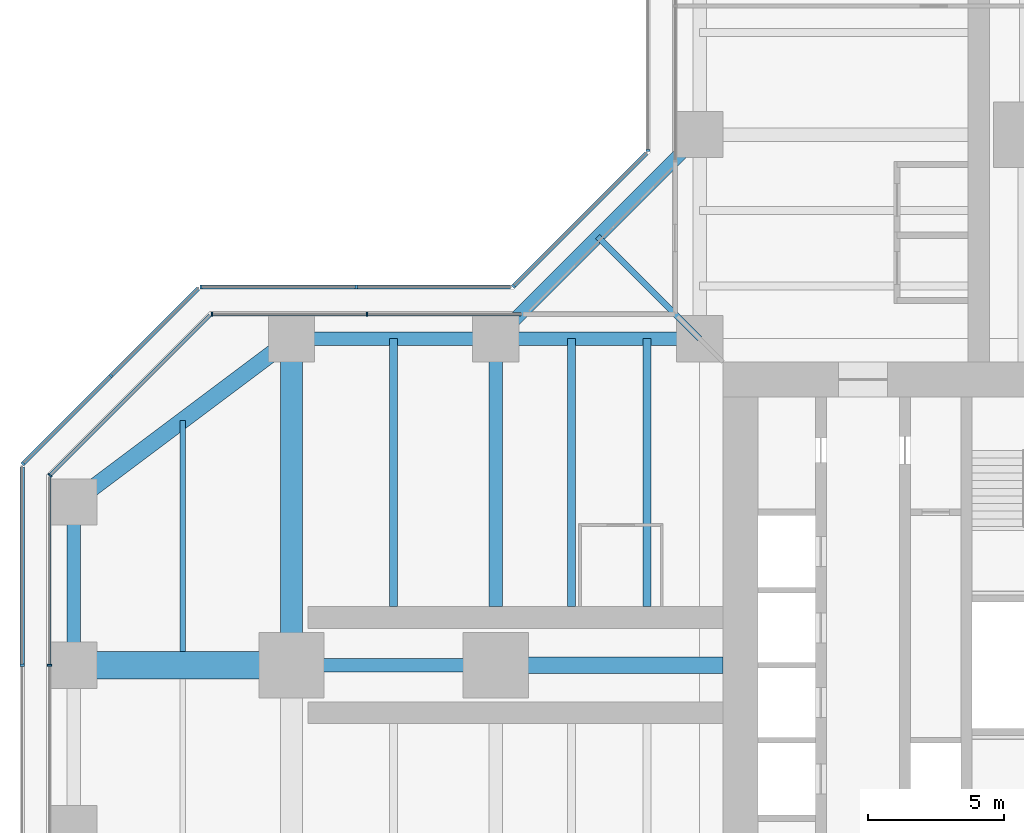
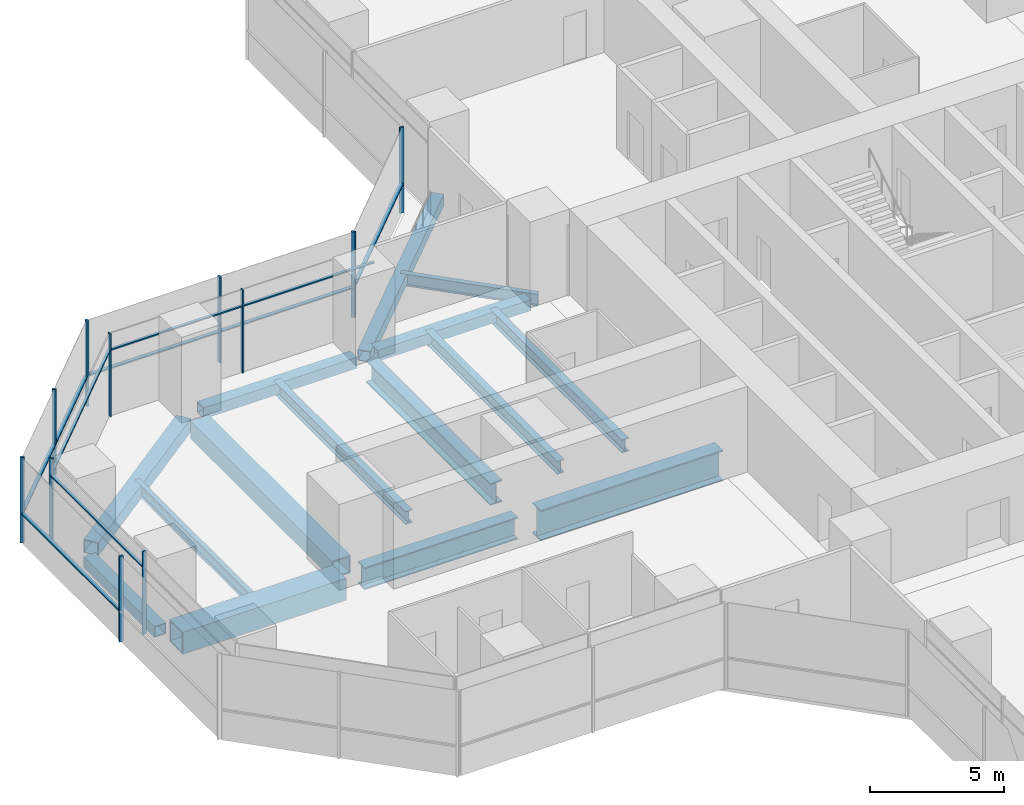
# One storey, part 8 of 22: 21 members, 15 beams, 8 elements without a shape of their own.
"""IFC4 building model written with IfcOpenShell, lengths in metres."""

from ifc_helpers import new_model, si_unit, direction, frame, origin, origin_2d, place, context, subcontext, project, spatial, rectangle, hollow_rectangle, i_section, extrude, material, material_profile, profile_set, type_object, element, aggregate, save


model = new_model("IFC4")

# Units and contexts
model_context = context("Model", 3, precision=1e-05, world=origin(), true_north=direction((0.0, 1.0)))
body_context = subcontext(model_context, "Body", "Model", "MODEL_VIEW")
ifc_project = project(units=[si_unit("LENGTHUNIT", "METRE"), si_unit("AREAUNIT", "SQUARE_METRE"), si_unit("VOLUMEUNIT", "CUBIC_METRE"), si_unit("PLANEANGLEUNIT", "RADIAN"), si_unit("MASSUNIT", "GRAM", prefix="KILO")], contexts=[model_context])

# Site, building, storey
site_placement = place(None, origin())
site = spatial("IfcSite", under=ifc_project, at=site_placement, CompositionType="ELEMENT")
building_placement = place(site_placement, origin())
building = spatial("IfcBuilding", under=site, at=building_placement, Name="Mizan Broadcast Tower", CompositionType="ELEMENT")
storey_placement = place(building_placement, frame((0.0, 0.0, 66.89990234375)))
storey = spatial("IfcBuildingStorey", under=building, at=storey_placement, Name="L13", CompositionType="ELEMENT", Elevation=66.89990234375)

# Beams
ifc_material_1 = material(Name="Steel S355", Category="steel")
ifc_material_profile_1 = material_profile(ifc_material_1, hollow_rectangle(XDim=0.5, YDim=0.5, WallThickness=0.030029296875, at=origin_2d()), Name="BOX 500x500x30")
ifc_profile_set_1 = profile_set([ifc_material_profile_1], Name="Steel S355")
beam_type_1 = type_object("IfcBeamType", Name="EDGE BEAM BOX 500x500x30", PredefinedType="SPANDREL", material=ifc_profile_set_1)
for number, where, z_axis, x_axis, name in (
    (1, (-12.449951171875, 12.0, -0.3798828125), (-1.0, 0.0, 0.0), (0.0, -1.0, 0.0), "Edge beam BOX 500x500x30 L13 west arm"),
    (2, (-19.949951171875, 12.0, -0.3798828125), (-1.0, 0.0, 0.0), (0.0, -1.0, 0.0), "Edge beam BOX 500x500x30 L13 west arm"),
):
    element("IfcBeam", number, at=place(storey_placement, frame(where, z_axis=z_axis, x_axis=x_axis)), inside=storey, type_object=beam_type_1, Name=name, PredefinedType="SPANDREL", context=body_context, shape_type="SweptSolid", body=[
        extrude(hollow_rectangle(XDim=0.5, YDim=0.5, WallThickness=0.030029296875, at=origin_2d()), origin(), (0.0, 0.0, 1.0), 6.60009765625),
    ])
beam_1_placement = place(storey_placement, frame((-35.0, 5.639892578125, -0.3798828125), z_axis=(0.0, -1.0, 0.0), x_axis=(1.0, 0.0, 0.0)))
element("IfcBeam", 3, at=beam_1_placement, inside=storey, type_object=beam_type_1, Name="Edge beam BOX 500x500x30 L13 west arm", PredefinedType="SPANDREL", context=body_context, shape_type="SweptSolid", body=[
    extrude(hollow_rectangle(XDim=0.5, YDim=0.5, WallThickness=0.030029296875, at=origin_2d()), origin(), (0.0, 0.0, 1.0), 5.27978515625),
])
beam_2_placement = place(storey_placement, frame((-12.0, 19.5, -0.3798828125), z_axis=(-0.707106781187, -0.707106781187, 0.0), x_axis=(0.707106781187, -0.707106781187, 0.0)))
element("IfcBeam", 4, at=beam_2_placement, inside=storey, type_object=beam_type_1, Name="Winter garden edge beam L13 N", PredefinedType="SPANDREL", context=body_context, shape_type="SweptSolid", body=[
    extrude(hollow_rectangle(XDim=0.5, YDim=0.5, WallThickness=0.030029296875, at=origin_2d()), origin(), (0.0, 0.0, 1.0), 10.606689453125),
])
ifc_material_2 = material(Name="Steel S355", Category="steel")
ifc_material_profile_2 = material_profile(ifc_material_2, hollow_rectangle(XDim=0.60009765625, YDim=0.60009765625, WallThickness=0.030029296875, at=origin_2d()), Name="BOX 600x600x30")
ifc_profile_set_2 = profile_set([ifc_material_profile_2], Name="Steel S355")
beam_type_2 = type_object("IfcBeamType", Name="EDGE BEAM BOX 600x600x30", PredefinedType="SPANDREL", material=ifc_profile_set_2)
beam_3_placement = place(storey_placement, frame((-27.47998046875, 11.639892578125, -0.429931640625), z_axis=(-0.800013316712, -0.599982243973, 0.0), x_axis=(0.599982243973, -0.800013316712, 0.0)))
element("IfcBeam", 5, at=beam_3_placement, inside=storey, type_object=beam_type_2, Name="Edge beam BOX 600x600x30 L13 west arm", PredefinedType="SPANDREL", context=body_context, shape_type="SweptSolid", body=[
    extrude(hollow_rectangle(XDim=0.60009765625, YDim=0.60009765625, WallThickness=0.030029296875, at=origin_2d()), origin(), (0.0, 0.0, 1.0), 8.7998046875),
])
ifc_material_3 = material(Name="Steel S460", Category="steel")
ifc_material_profile_3 = material_profile(ifc_material_3, hollow_rectangle(XDim=1.0, YDim=1.0, WallThickness=0.06005859375, at=origin_2d()), Name="BOX 1000x1000x60")
ifc_profile_set_3 = profile_set([ifc_material_profile_3], Name="Steel S460")
beam_type_3 = type_object("IfcBeamType", Name="GIRDER BOX 1000x1000x60", PredefinedType="BEAM", material=ifc_profile_set_3)
beam_4_placement = place(storey_placement, frame((-27.47998046875, 0.0, -0.6298828125), z_axis=(-1.0, 0.0, 0.0), x_axis=(0.0, -1.0, 0.0)))
element("IfcBeam", 6, at=beam_4_placement, inside=storey, type_object=beam_type_3, Name="Girder BOX 1000x1000x60 L13 west arm", PredefinedType="BEAM", context=body_context, shape_type="SweptSolid", body=[
    extrude(hollow_rectangle(XDim=1.0, YDim=1.0, WallThickness=0.06005859375, at=origin_2d()), origin(), (0.0, 0.0, 1.0), 7.0400390625),
])
ifc_material_4 = material(Name="Steel S460", Category="steel")
ifc_material_profile_4 = material_profile(ifc_material_4, hollow_rectangle(XDim=0.800048828125, YDim=0.800048828125, WallThickness=0.050048828125, at=origin_2d()), Name="BOX 800x800x50")
ifc_profile_set_4 = profile_set([ifc_material_profile_4], Name="Steel S460")
beam_type_4 = type_object("IfcBeamType", Name="GIRDER BOX 800x800x50", PredefinedType="BEAM", material=ifc_profile_set_4)
beam_5_placement = place(storey_placement, frame((-27.0, 11.280029296875, -0.52978515625), z_axis=(0.0, -1.0, 0.0), x_axis=(1.0, 0.0, 0.0)))
element("IfcBeam", 7, at=beam_5_placement, inside=storey, type_object=beam_type_4, Name="Girder BOX 800x800x50 L13 west arm", PredefinedType="BEAM", context=body_context, shape_type="SweptSolid", body=[
    extrude(hollow_rectangle(XDim=0.800048828125, YDim=0.800048828125, WallThickness=0.050048828125, at=origin_2d()), origin(), (0.0, 0.0, 1.0), 10.56005859375),
])
ifc_material_5 = material(Name="Steel S460", Category="steel")
ifc_material_profile_5 = material_profile(ifc_material_5, i_section(OverallWidth=0.5, OverallDepth=1.0, WebThickness=0.02490234375, FlangeThickness=0.050048828125, at=origin_2d()), Name="WPG 1000x500")
ifc_profile_set_5 = profile_set([ifc_material_profile_5], Name="Steel S460")
beam_type_5 = type_object("IfcBeamType", Name="GIRDER WPG 1000x500", PredefinedType="BEAM", material=ifc_profile_set_5)
beam_6_placement = place(storey_placement, frame((-19.949951171875, 0.0, -0.6298828125), z_axis=(-1.0, 0.0, 0.0), x_axis=(0.0, -1.0, 0.0)))
element("IfcBeam", 8, at=beam_6_placement, inside=storey, type_object=beam_type_5, Name="Girder WPG 1000x500 L13 west arm", PredefinedType="BEAM", context=body_context, shape_type="SweptSolid", body=[
    extrude(i_section(OverallWidth=0.5, OverallDepth=1.0, WebThickness=0.02490234375, FlangeThickness=0.050048828125, at=origin_2d()), origin(), (0.0, 0.0, 1.0), 6.60009765625),
])
beam_7_placement = place(storey_placement, frame((-19.5, 11.408935546875, -0.6298828125), z_axis=(0.0, -1.0, 0.0), x_axis=(1.0, 0.0, 0.0)))
element("IfcBeam", 9, at=beam_7_placement, inside=storey, type_object=beam_type_5, Name="Girder WPG 1000x500 L13 west arm", PredefinedType="BEAM", context=body_context, shape_type="SweptSolid", body=[
    extrude(i_section(OverallWidth=0.5, OverallDepth=1.0, WebThickness=0.02490234375, FlangeThickness=0.050048828125, at=origin_2d()), origin(), (0.0, 0.0, 1.0), 9.259033203125),
])
ifc_material_6 = material(Name="Steel S460", Category="steel")
ifc_material_profile_6 = material_profile(ifc_material_6, i_section(OverallWidth=0.60009765625, OverallDepth=1.39990234375, WebThickness=0.02490234375, FlangeThickness=0.06005859375, at=origin_2d()), Name="WPG 1400x600")
ifc_profile_set_6 = profile_set([ifc_material_profile_6], Name="Steel S460")
beam_type_6 = type_object("IfcBeamType", Name="GIRDER WPG 1400x600", PredefinedType="BEAM", material=ifc_profile_set_6)
beam_8_placement = place(storey_placement, frame((-11.14990234375, 0.0, -0.829833984375), z_axis=(-1.0, 0.0, 0.0), x_axis=(0.0, -1.0, 0.0)))
element("IfcBeam", 10, at=beam_8_placement, inside=storey, type_object=beam_type_6, Name="Girder WPG 1400x600 L13 west arm", PredefinedType="BEAM", context=body_context, shape_type="SweptSolid", body=[
    extrude(i_section(OverallWidth=0.60009765625, OverallDepth=1.39990234375, WebThickness=0.02490234375, FlangeThickness=0.06005859375, at=origin_2d()), origin(), (0.0, 0.0, 1.0), 7.84912109375),
])

# Curtain wall, members
ifc_material_7 = material(Name="Aluminium framed glazing", Category="aluminium")
curtain_wall_type_1 = type_object("IfcCurtainWallType", Name="INNER SKIN LOW ZONE", PredefinedType="USERDEFINED", material=ifc_material_7)
curtain_wall_1_placement = place(storey_placement, origin())
curtain_wall_1 = element("IfcCurtainWall", 11, at=curtain_wall_1_placement, inside=storey, type_object=curtain_wall_type_1, Name="Inner skin low zone L13 W side", ObjectType="INNER SKIN LOW ZONE", PredefinedType="USERDEFINED")
ifc_material_8 = material(Name="Aluminium, pale anodised", Category="aluminium")
ifc_material_profile_7 = material_profile(ifc_material_8, rectangle(XDim=0.159912109375, YDim=0.06005859375, at=origin_2d()), Name="MULLION 160x60")
ifc_profile_set_7 = profile_set([ifc_material_profile_7], Name="Aluminium, pale anodised")
member_type_1 = type_object("IfcMemberType", Name="INNER SKIN MULLION 60x160", PredefinedType="MULLION", material=ifc_profile_set_7)
member_1_placement = place(storey_placement, frame((-24.229248046875, 12.89990234375, 0.0), z_axis=(0.0, 0.0, 1.0), x_axis=(0.0, -1.0, 0.0)))
member_1 = element("IfcMember", 12, at=member_1_placement, type_object=member_type_1, Name="Inner skin low zone L13 W side mullion 2", PredefinedType="MULLION", context=body_context, shape_type="SweptSolid", body=[
    extrude(rectangle(XDim=0.159912109375, YDim=0.06005859375, at=origin_2d()), origin(), (0.0, 0.0, 1.0), 3.77001953125),
])
member_2_placement = place(storey_placement, frame((-29.928466796875, 12.89990234375, 0.0), z_axis=(0.0, 0.0, 1.0), x_axis=(0.0, -1.0, 0.0)))
member_2 = element("IfcMember", 13, at=member_2_placement, type_object=member_type_1, Name="Inner skin low zone L13 W side mullion 3", PredefinedType="MULLION", context=body_context, shape_type="SweptSolid", body=[
    extrude(rectangle(XDim=0.159912109375, YDim=0.06005859375, at=origin_2d()), origin(), (0.0, 0.0, 1.0), 3.77001953125),
])

# Curtain wall, member
curtain_wall_2_placement = place(storey_placement, origin())
curtain_wall_2 = element("IfcCurtainWall", 14, at=curtain_wall_2_placement, inside=storey, type_object=curtain_wall_type_1, Name="Inner skin low zone L13 W chamfer", ObjectType="INNER SKIN LOW ZONE", PredefinedType="USERDEFINED")
member_3_placement = place(storey_placement, frame((-35.87890625, 6.979736328125, 0.0), z_axis=(0.0, 0.0, 1.0), x_axis=(0.707106781187, -0.707106781187, 0.0)))
member_3 = element("IfcMember", 15, at=member_3_placement, type_object=member_type_1, Name="Inner skin low zone L13 W chamfer mullion 2", PredefinedType="MULLION", context=body_context, shape_type="SweptSolid", body=[
    extrude(rectangle(XDim=0.159912109375, YDim=0.06005859375, at=origin_2d()), origin(), (0.0, 0.0, 1.0), 3.77001953125),
])

curtain_wall_3_placement = place(storey_placement, origin())
curtain_wall_3 = element("IfcCurtainWall", 16, at=curtain_wall_3_placement, inside=storey, type_object=curtain_wall_type_1, Name="Inner skin low zone L13 W end", ObjectType="INNER SKIN LOW ZONE", PredefinedType="USERDEFINED")
member_4_placement = place(storey_placement, frame((-35.89990234375, 0.0, 0.0), z_axis=(0.0, 0.0, 1.0), x_axis=(1.0, 0.0, 0.0)))
member_4 = element("IfcMember", 17, at=member_4_placement, type_object=member_type_1, Name="Inner skin low zone L13 W end mullion 2", PredefinedType="MULLION", context=body_context, shape_type="SweptSolid", body=[
    extrude(rectangle(XDim=0.159912109375, YDim=0.06005859375, at=origin_2d()), origin(), (0.0, 0.0, 1.0), 3.77001953125),
])

# Member
ifc_material_9 = material(Name="Aluminium, pale anodised", Category="aluminium")
ifc_material_profile_8 = material_profile(ifc_material_9, rectangle(XDim=0.1201171875, YDim=0.06005859375, at=origin_2d()), Name="TRANSOM 120x60")
ifc_profile_set_8 = profile_set([ifc_material_profile_8], Name="Aluminium, pale anodised")
member_type_2 = type_object("IfcMemberType", Name="INNER SKIN TRANSOM 60x120", PredefinedType="USERDEFINED", material=ifc_profile_set_8)
member_5_placement = place(storey_placement, frame((-18.56005859375, 12.89990234375, 3.030029296875), z_axis=(-1.0, 0.0, 0.0), x_axis=(0.0, -1.0, 0.0)))
member_5 = element("IfcMember", 18, at=member_5_placement, type_object=member_type_2, Name="Inner skin low zone L13 W side transom 1.1", ObjectType="TRANSOM", PredefinedType="USERDEFINED", context=body_context, shape_type="SweptSolid", body=[
    extrude(rectangle(XDim=0.1201171875, YDim=0.06005859375, at=origin_2d()), origin(), (0.0, 0.0, 1.0), 5.63916015625),
])

member_6_placement = place(storey_placement, frame((-24.25927734375, 12.89990234375, 3.030029296875), z_axis=(-1.0, 0.0, 0.0), x_axis=(0.0, -1.0, 0.0)))
member_6 = element("IfcMember", 19, at=member_6_placement, type_object=member_type_2, Name="Inner skin low zone L13 W side transom 2.1", ObjectType="TRANSOM", PredefinedType="USERDEFINED", context=body_context, shape_type="SweptSolid", body=[
    extrude(rectangle(XDim=0.1201171875, YDim=0.06005859375, at=origin_2d()), origin(), (0.0, 0.0, 1.0), 5.639404296875),
])

aggregate(curtain_wall_1, [member_1, member_2, member_5, member_6])

member_7_placement = place(storey_placement, frame((-30.0009765625, 12.857666015625, 3.030029296875), z_axis=(-0.707106781187, -0.707106781187, 0.0), x_axis=(0.707106781187, -0.707106781187, 0.0)))
member_7 = element("IfcMember", 20, at=member_7_placement, type_object=member_type_2, Name="Inner skin low zone L13 W chamfer transom 1.1", ObjectType="TRANSOM", PredefinedType="USERDEFINED", context=body_context, shape_type="SweptSolid", body=[
    extrude(rectangle(XDim=0.1201171875, YDim=0.06005859375, at=origin_2d()), origin(), (0.0, 0.0, 1.0), 8.28271484375),
])

aggregate(curtain_wall_2, [member_3, member_7])

member_8_placement = place(storey_placement, frame((-35.89990234375, 6.898681640625, 3.030029296875), z_axis=(0.0, -1.0, 0.0), x_axis=(1.0, 0.0, 0.0)))
member_8 = element("IfcMember", 21, at=member_8_placement, type_object=member_type_2, Name="Inner skin low zone L13 W end transom 1.1", ObjectType="TRANSOM", PredefinedType="USERDEFINED", context=body_context, shape_type="SweptSolid", body=[
    extrude(rectangle(XDim=0.1201171875, YDim=0.06005859375, at=origin_2d()), origin(), (0.0, 0.0, 1.0), 6.86865234375),
])

aggregate(curtain_wall_3, [member_4, member_8])

# Curtain wall, member
ifc_material_10 = material(Name="Aluminium framed glazing", Category="aluminium")
curtain_wall_type_2 = type_object("IfcCurtainWallType", Name="OUTER SKIN", PredefinedType="USERDEFINED", material=ifc_material_10)
curtain_wall_4_placement = place(storey_placement, origin())
curtain_wall_4 = element("IfcCurtainWall", 22, at=curtain_wall_4_placement, inside=storey, type_object=curtain_wall_type_2, Name="Outer skin L13 N side", ObjectType="OUTER SKIN", PredefinedType="USERDEFINED")
ifc_material_11 = material(Name="Aluminium, pale anodised", Category="aluminium")
ifc_material_profile_9 = material_profile(ifc_material_11, rectangle(XDim=0.159912109375, YDim=0.080078125, at=origin_2d()), Name="MULLION 160x80")
ifc_profile_set_9 = profile_set([ifc_material_profile_9], Name="Aluminium, pale anodised")
member_type_3 = type_object("IfcMemberType", Name="OUTER SKIN MULLION 80x160", PredefinedType="MULLION", material=ifc_profile_set_9)
member_9_placement = place(storey_placement, frame((-13.89990234375, 18.912841796875, 0.0), z_axis=(0.0, 0.0, 1.0), x_axis=(1.0, 0.0, 0.0)))
member_9 = element("IfcMember", 23, at=member_9_placement, type_object=member_type_3, Name="Outer skin L13 N side mullion 3", PredefinedType="MULLION", context=body_context, shape_type="SweptSolid", body=[
    extrude(rectangle(XDim=0.159912109375, YDim=0.080078125, at=origin_2d()), origin(), (0.0, 0.0, 1.0), 3.900146484375),
])
aggregate(curtain_wall_4, [member_9])

curtain_wall_5_placement = place(storey_placement, origin())
curtain_wall_5 = element("IfcCurtainWall", 24, at=curtain_wall_5_placement, inside=storey, type_object=curtain_wall_type_2, Name="Outer skin L13 W chamfer", ObjectType="OUTER SKIN", PredefinedType="USERDEFINED")
member_10_placement = place(storey_placement, frame((-18.844482421875, 13.92822265625, 0.0), z_axis=(0.0, 0.0, 1.0), x_axis=(0.707106781187, -0.707106781187, 0.0)))
member_10 = element("IfcMember", 25, at=member_10_placement, type_object=member_type_3, Name="Outer skin L13 W chamfer mullion 2", PredefinedType="MULLION", context=body_context, shape_type="SweptSolid", body=[
    extrude(rectangle(XDim=0.159912109375, YDim=0.080078125, at=origin_2d()), origin(), (0.0, 0.0, 1.0), 3.900146484375),
])

# Curtain wall, members
curtain_wall_6_placement = place(storey_placement, origin())
curtain_wall_6 = element("IfcCurtainWall", 26, at=curtain_wall_6_placement, inside=storey, type_object=curtain_wall_type_2, Name="Outer skin L13 W side", ObjectType="OUTER SKIN", PredefinedType="USERDEFINED")
member_11_placement = place(storey_placement, frame((-24.622802734375, 13.89990234375, 0.0), z_axis=(0.0, 0.0, 1.0), x_axis=(0.0, -1.0, 0.0)))
member_11 = element("IfcMember", 27, at=member_11_placement, type_object=member_type_3, Name="Outer skin L13 W side mullion 2", PredefinedType="MULLION", context=body_context, shape_type="SweptSolid", body=[
    extrude(rectangle(XDim=0.159912109375, YDim=0.080078125, at=origin_2d()), origin(), (0.0, 0.0, 1.0), 3.900146484375),
])
member_12_placement = place(storey_placement, frame((-30.332763671875, 13.89990234375, 0.0), z_axis=(0.0, 0.0, 1.0), x_axis=(0.0, -1.0, 0.0)))
member_12 = element("IfcMember", 28, at=member_12_placement, type_object=member_type_3, Name="Outer skin L13 W side mullion 3", PredefinedType="MULLION", context=body_context, shape_type="SweptSolid", body=[
    extrude(rectangle(XDim=0.159912109375, YDim=0.080078125, at=origin_2d()), origin(), (0.0, 0.0, 1.0), 3.900146484375),
])

curtain_wall_7_placement = place(storey_placement, origin())
curtain_wall_7 = element("IfcCurtainWall", 29, at=curtain_wall_7_placement, inside=storey, type_object=curtain_wall_type_2, Name="Outer skin L13 W chamfer", ObjectType="OUTER SKIN", PredefinedType="USERDEFINED")
member_13_placement = place(storey_placement, frame((-33.636474609375, 10.636474609375, 0.0), z_axis=(0.0, 0.0, 1.0), x_axis=(0.707106781187, -0.707106781187, 0.0)))
member_13 = element("IfcMember", 30, at=member_13_placement, type_object=member_type_3, Name="Outer skin L13 W chamfer mullion 2", PredefinedType="MULLION", context=body_context, shape_type="SweptSolid", body=[
    extrude(rectangle(XDim=0.159912109375, YDim=0.080078125, at=origin_2d()), origin(), (0.0, 0.0, 1.0), 3.900146484375),
])
member_14_placement = place(storey_placement, frame((-36.871826171875, 7.401123046875, 0.0), z_axis=(0.0, 0.0, 1.0), x_axis=(0.707106781187, -0.707106781187, 0.0)))
member_14 = element("IfcMember", 31, at=member_14_placement, type_object=member_type_3, Name="Outer skin L13 W chamfer mullion 3", PredefinedType="MULLION", context=body_context, shape_type="SweptSolid", body=[
    extrude(rectangle(XDim=0.159912109375, YDim=0.080078125, at=origin_2d()), origin(), (0.0, 0.0, 1.0), 3.900146484375),
])

# Curtain wall, member
curtain_wall_8_placement = place(storey_placement, origin())
curtain_wall_8 = element("IfcCurtainWall", 32, at=curtain_wall_8_placement, inside=storey, type_object=curtain_wall_type_2, Name="Outer skin L13 W end", ObjectType="OUTER SKIN", PredefinedType="USERDEFINED")
member_15_placement = place(storey_placement, frame((-36.89990234375, 0.0, 0.0), z_axis=(0.0, 0.0, 1.0), x_axis=(1.0, 0.0, 0.0)))
member_15 = element("IfcMember", 33, at=member_15_placement, type_object=member_type_3, Name="Outer skin L13 W end mullion 2", PredefinedType="MULLION", context=body_context, shape_type="SweptSolid", body=[
    extrude(rectangle(XDim=0.159912109375, YDim=0.080078125, at=origin_2d()), origin(), (0.0, 0.0, 1.0), 3.900146484375),
])

# Member
ifc_material_12 = material(Name="Aluminium, pale anodised", Category="aluminium")
ifc_material_profile_10 = material_profile(ifc_material_12, rectangle(XDim=0.159912109375, YDim=0.06005859375, at=origin_2d()), Name="TRANSOM 160x60")
ifc_profile_set_10 = profile_set([ifc_material_profile_10], Name="Aluminium, pale anodised")
member_type_4 = type_object("IfcMemberType", Name="OUTER SKIN TRANSOM 60x160", PredefinedType="USERDEFINED", material=ifc_profile_set_10)
member_16_placement = place(storey_placement, frame((-13.95654296875, 18.816162109375, 1.400146484375), z_axis=(-0.707106781187, -0.707106781187, 0.0), x_axis=(0.707106781187, -0.707106781187, 0.0)))
member_16 = element("IfcMember", 34, at=member_16_placement, type_object=member_type_4, Name="Outer skin L13 W chamfer transom 1.1", ObjectType="TRANSOM", PredefinedType="USERDEFINED", context=body_context, shape_type="SweptSolid", body=[
    extrude(rectangle(XDim=0.159912109375, YDim=0.06005859375, at=origin_2d()), origin(), (0.0, 0.0, 1.0), 6.87255859375),
])

aggregate(curtain_wall_5, [member_10, member_16])

member_17_placement = place(storey_placement, frame((-18.952880859375, 13.89990234375, 1.400146484375), z_axis=(-1.0, 0.0, 0.0), x_axis=(0.0, -1.0, 0.0)))
member_17 = element("IfcMember", 35, at=member_17_placement, type_object=member_type_4, Name="Outer skin L13 W side transom 1.1", ObjectType="TRANSOM", PredefinedType="USERDEFINED", context=body_context, shape_type="SweptSolid", body=[
    extrude(rectangle(XDim=0.159912109375, YDim=0.06005859375, at=origin_2d()), origin(), (0.0, 0.0, 1.0), 5.6298828125),
])

member_18_placement = place(storey_placement, frame((-24.662841796875, 13.89990234375, 1.400146484375), z_axis=(-1.0, 0.0, 0.0), x_axis=(0.0, -1.0, 0.0)))
member_18 = element("IfcMember", 36, at=member_18_placement, type_object=member_type_4, Name="Outer skin L13 W side transom 2.1", ObjectType="TRANSOM", PredefinedType="USERDEFINED", context=body_context, shape_type="SweptSolid", body=[
    extrude(rectangle(XDim=0.159912109375, YDim=0.06005859375, at=origin_2d()), origin(), (0.0, 0.0, 1.0), 5.6298828125),
])

aggregate(curtain_wall_6, [member_11, member_12, member_17, member_18])

member_19_placement = place(storey_placement, frame((-30.429443359375, 13.843505859375, 1.400146484375), z_axis=(-0.707106781187, -0.707106781187, 0.0), x_axis=(0.707106781187, -0.707106781187, 0.0)))
member_19 = element("IfcMember", 37, at=member_19_placement, type_object=member_type_4, Name="Outer skin L13 W chamfer transom 1.1", ObjectType="TRANSOM", PredefinedType="USERDEFINED", context=body_context, shape_type="SweptSolid", body=[
    extrude(rectangle(XDim=0.159912109375, YDim=0.06005859375, at=origin_2d()), origin(), (0.0, 0.0, 1.0), 4.495361328125),
])

member_20_placement = place(storey_placement, frame((-33.664794921875, 10.608154296875, 1.400146484375), z_axis=(-0.707106781187, -0.707106781187, 0.0), x_axis=(0.707106781187, -0.707106781187, 0.0)))
member_20 = element("IfcMember", 38, at=member_20_placement, type_object=member_type_4, Name="Outer skin L13 W chamfer transom 2.1", ObjectType="TRANSOM", PredefinedType="USERDEFINED", context=body_context, shape_type="SweptSolid", body=[
    extrude(rectangle(XDim=0.159912109375, YDim=0.06005859375, at=origin_2d()), origin(), (0.0, 0.0, 1.0), 4.495361328125),
])

aggregate(curtain_wall_7, [member_13, member_14, member_19, member_20])

member_21_placement = place(storey_placement, frame((-36.89990234375, 7.292724609375, 1.400146484375), z_axis=(0.0, -1.0, 0.0), x_axis=(1.0, 0.0, 0.0)))
member_21 = element("IfcMember", 39, at=member_21_placement, type_object=member_type_4, Name="Outer skin L13 W end transom 1.1", ObjectType="TRANSOM", PredefinedType="USERDEFINED", context=body_context, shape_type="SweptSolid", body=[
    extrude(rectangle(XDim=0.159912109375, YDim=0.06005859375, at=origin_2d()), origin(), (0.0, 0.0, 1.0), 7.252685546875),
])

aggregate(curtain_wall_8, [member_15, member_21])

# Beams
ifc_material_13 = material(Name="Steel S355", Category="steel")
ifc_material_profile_11 = material_profile(ifc_material_13, i_section(OverallWidth=0.300048828125, OverallDepth=0.590087890625, WebThickness=0.012939453125, FlangeThickness=0.02490234375, FilletRadius=0.027099609375, at=origin_2d()), Name="HEA 600")
ifc_profile_set_11 = profile_set([ifc_material_profile_11], Name="Steel S355")
beam_type_7 = type_object("IfcBeamType", Name="SECONDARY BEAM HEA 600", PredefinedType="JOIST", material=ifc_profile_set_11)
for number, where, z_axis, x_axis, name in (
    (40, (-13.933349609375, 12.0, -0.4248046875), (0.0, -1.0, 0.0), (1.0, 0.0, 0.0), "Secondary beam HEA 600 L13 west arm"),
    (41, (-16.716552734375, 12.0, -0.4248046875), (0.0, -1.0, 0.0), (1.0, 0.0, 0.0), "Secondary beam HEA 600 L13 west arm"),
    (42, (-23.25, 12.0, -0.4248046875), (0.0, -1.0, 0.0), (1.0, 0.0, 0.0), "Secondary beam HEA 600 L13 west arm"),
):
    element("IfcBeam", number, at=place(storey_placement, frame(where, z_axis=z_axis, x_axis=x_axis)), inside=storey, type_object=beam_type_7, Name=name, PredefinedType="JOIST", context=body_context, shape_type="SweptSolid", body=[
        extrude(i_section(OverallWidth=0.300048828125, OverallDepth=0.590087890625, WebThickness=0.012939453125, FlangeThickness=0.02490234375, FilletRadius=0.027099609375, at=origin_2d()), origin(), (0.0, 0.0, 1.0), 9.85009765625),
    ])
ifc_material_14 = material(Name="Steel S355", Category="steel")
ifc_material_profile_12 = material_profile(ifc_material_14, i_section(OverallWidth=0.2099609375, OverallDepth=0.550048828125, WebThickness=0.010986328125, FlangeThickness=0.01708984375, FilletRadius=0.02392578125, at=origin_2d()), Name="IPE 550")
ifc_profile_set_12 = profile_set([ifc_material_profile_12], Name="Steel S355")
beam_type_8 = type_object("IfcBeamType", Name="SECONDARY BEAM IPE 550", PredefinedType="JOIST", material=ifc_profile_set_12)
beam_9_placement = place(storey_placement, frame((-31.0, 9.0, -0.40478515625), z_axis=(0.0, -1.0, 0.0), x_axis=(1.0, 0.0, 0.0)))
element("IfcBeam", 43, at=beam_9_placement, inside=storey, type_object=beam_type_8, Name="Secondary beam IPE 550 L13 west arm", PredefinedType="JOIST", context=body_context, shape_type="SweptSolid", body=[
    extrude(i_section(OverallWidth=0.2099609375, OverallDepth=0.550048828125, WebThickness=0.010986328125, FlangeThickness=0.01708984375, FilletRadius=0.02392578125, at=origin_2d()), origin(), (0.0, 0.0, 1.0), 8.5),
])
beam_10_placement = place(storey_placement, frame((-12.0, 12.0, -0.40478515625), z_axis=(-0.707106781187, 0.707106781187, 0.0), x_axis=(-0.707106781187, -0.707106781187, 0.0)))
element("IfcBeam", 44, at=beam_10_placement, inside=storey, type_object=beam_type_8, Name="Winter garden beam L13 N", PredefinedType="JOIST", context=body_context, shape_type="SweptSolid", body=[
    extrude(i_section(OverallWidth=0.2099609375, OverallDepth=0.550048828125, WebThickness=0.010986328125, FlangeThickness=0.01708984375, FilletRadius=0.02392578125, at=origin_2d()), origin(), (0.0, 0.0, 1.0), 5.30322265625),
])

save(model, "model.ifc")
